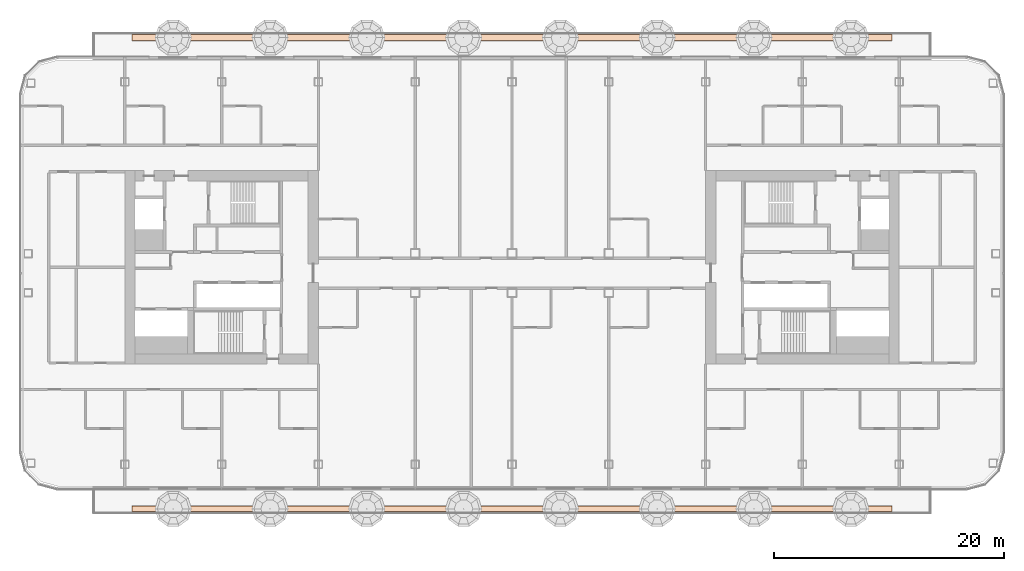
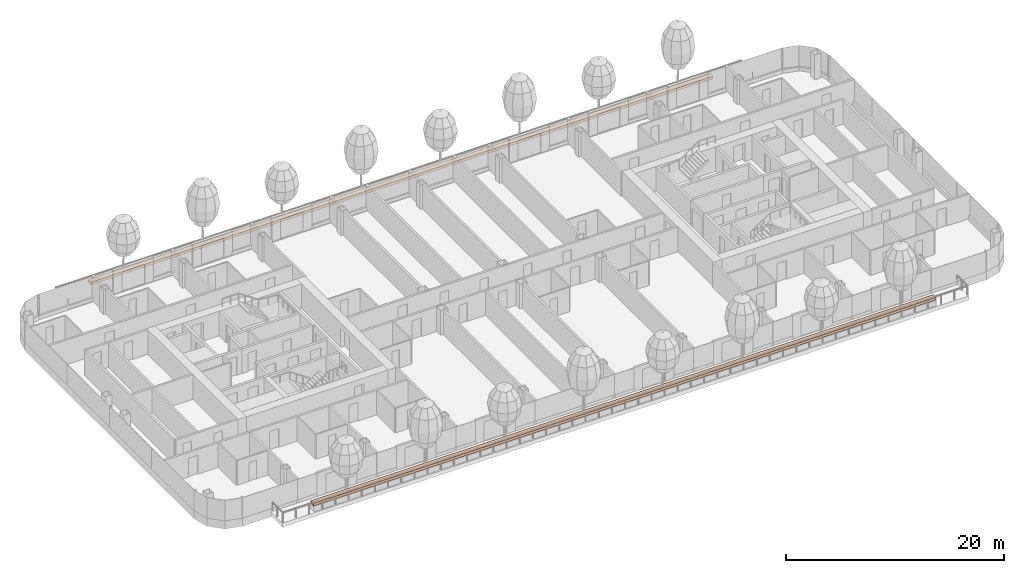
# One storey, part 26 of 29: 2 geographic elements.
"""IFC4 building model written with IfcOpenShell, lengths in metres."""

from ifc_helpers import new_model, si_unit, direction, frame, origin, origin_2d, place, context, subcontext, project, spatial, rectangle, extrude, material, type_object, element, save


model = new_model("IFC4")

# Units and contexts
model_context = context("Model", 3, precision=1e-05, world=origin(), true_north=direction((0.0, 1.0)))
body_context = subcontext(model_context, "Body", "Model", "MODEL_VIEW")
ifc_project = project(units=[si_unit("LENGTHUNIT", "METRE"), si_unit("AREAUNIT", "SQUARE_METRE"), si_unit("VOLUMEUNIT", "CUBIC_METRE"), si_unit("PLANEANGLEUNIT", "RADIAN"), si_unit("MASSUNIT", "GRAM", prefix="KILO")], contexts=[model_context])

# Site, building, storey
site_placement = place(None, origin())
site = spatial("IfcSite", under=ifc_project, at=site_placement, CompositionType="ELEMENT")
building_placement = place(site_placement, origin())
building = spatial("IfcBuilding", under=site, at=building_placement, Name="Hakoniwa Tower and Hamabe Station Hall", CompositionType="ELEMENT")
storey_placement = place(building_placement, frame((0.0, 0.0, 163.0)))
storey = spatial("IfcBuildingStorey", under=building, at=storey_placement, Name="L46", CompositionType="ELEMENT", Elevation=163.0)

# Geographic elements
ifc_material = material(Name="Shrub planting")
geographic_element_type = type_object("IfcGeographicElementType", Name="Shrub planting bed 500x300", PredefinedType="USERDEFINED", material=ifc_material)
for number, where, z_axis, x_axis, name in (
    (1, (0.0, 19.949951171875, 0.60009765625), (0.0, 0.0, 1.0), (1.0, 0.0, 0.0), "Shrub planting bed 500x300"),
    (2, (0.0, -20.949951171875, 0.60009765625), (0.0, 0.0, 1.0), (1.0, 0.0, 0.0), "Shrub planting bed 500x300"),
):
    element("IfcGeographicElement", number, at=place(storey_placement, frame(where, z_axis=z_axis, x_axis=x_axis)), inside=storey, type_object=geographic_element_type, Name=name, ObjectType="PLANTING", PredefinedType="USERDEFINED", context=body_context, shape_type="SweptSolid", body=[
        extrude(rectangle(XDim=66.0, YDim=0.5, at=origin_2d()), origin(), (0.0, 0.0, 1.0), 0.300048828125),
    ])

save(model, "model.ifc")
